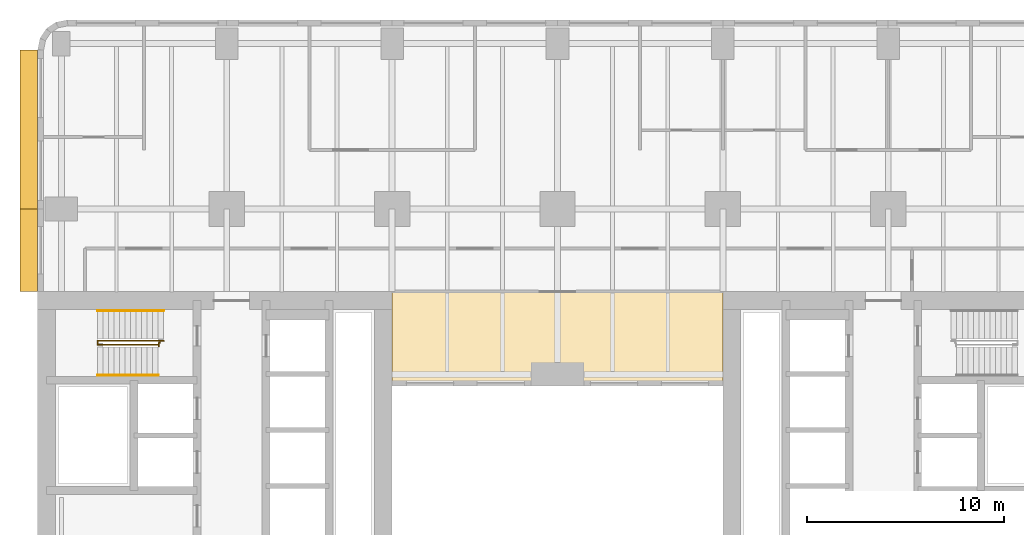
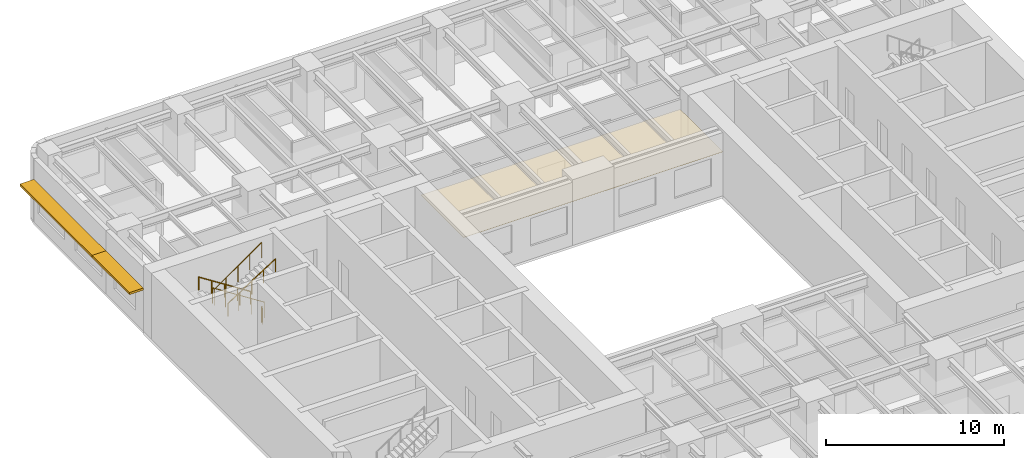
# One storey, part 12 of 14: 4 railings, 2 shading devices, 1 covering.
"""IFC4 building model written with IfcOpenShell, lengths in metres."""

from ifc_helpers import new_model, si_unit, direction, frame, origin, origin_2d, place, context, subcontext, project, spatial, polyline, rectangle, circle, outline, extrude, material, layer, layer_set, type_object, element, save


model = new_model("IFC4")

# Units and contexts
model_context = context("Model", 3, precision=1e-05, world=origin(), true_north=direction((0.0, 1.0)))
body_context = subcontext(model_context, "Body", "Model", "MODEL_VIEW")
ifc_project = project(units=[si_unit("LENGTHUNIT", "METRE"), si_unit("AREAUNIT", "SQUARE_METRE"), si_unit("VOLUMEUNIT", "CUBIC_METRE"), si_unit("PLANEANGLEUNIT", "RADIAN"), si_unit("MASSUNIT", "GRAM", prefix="KILO")], contexts=[model_context])

# Site, building, storey
site_placement = place(None, origin())
site = spatial("IfcSite", under=ifc_project, at=site_placement, CompositionType="ELEMENT")
building_placement = place(site_placement, origin())
building = spatial("IfcBuilding", under=site, at=building_placement, Name="Claustro Exchange Tower", CompositionType="ELEMENT")
storey_placement = place(building_placement, frame((0.0, 0.0, 36.89990234375)))
storey = spatial("IfcBuildingStorey", under=building, at=storey_placement, Name="L08", CompositionType="ELEMENT", Elevation=36.89990234375)

# Covering
ifc_material_1 = material(Name="Gypsum board ceiling", Category="gypsum board")
ifc_layer_1 = layer(ifc_material_1, 0.02490234375)
ifc_layer_set_1 = layer_set([ifc_layer_1], Name="Gypsum board ceiling")
covering_type = type_object("IfcCoveringType", Name="CL2 plasterboard ceiling", PredefinedType="CEILING", material=ifc_layer_set_1)
covering_placement = place(storey_placement, frame((0.0, 0.0, 3.0)))
element("IfcCovering", 1, at=covering_placement, inside=storey, type_object=covering_type, Name="Ceiling CL2 L08-11", PredefinedType="CEILING", context=body_context, shape_type="SweptSolid", body=[
    extrude(outline(polyline([(33.60009765625, 33.0), (33.60009765625, 37.800048828125), (16.800048828125, 37.800048828125), (16.800048828125, 33.0), (33.60009765625, 33.0)])), origin(), (0.0, 0.0, 1.0), 0.025146484375),
])

# Railings
ifc_material_2 = material(Name="Steel balustrade, painted", Category="steel")
railing_type_1 = type_object("IfcRailingType", Name="GR2 1100 steel stair guard", PredefinedType="GUARDRAIL", material=ifc_material_2)
railing_1_placement = place(storey_placement, frame((5.199951171875, 35.300048828125, 0.18017578125)))
element("IfcRailing", 2, at=railing_1_placement, inside=storey, type_object=railing_type_1, Name="Stair well guard GR2 stair STWB L08", PredefinedType="GUARDRAIL", context=body_context, shape_type="SweptSolid", body=[
    extrude(circle(Radius=0.02392578125, at=origin_2d()), frame((0.0, 0.0, 1.076171875), z_axis=(-0.841178475377, 0.0, 0.540757591313), x_axis=(0.0, -1.0, 0.0)), (0.0, 0.0, 1.0), 3.994140625),
    extrude(circle(Radius=0.02392578125, at=origin_2d()), frame((-3.35986328125, 0.0, 3.23583984375), z_axis=(0.0, -1.0, 0.0), x_axis=(1.0, 0.0, 0.0)), (0.0, 0.0, 1.0), 0.199951171875),
    extrude(circle(Radius=0.02392578125, at=origin_2d()), frame((-3.35986328125, -0.199951171875, 3.23583984375), z_axis=(0.818728512145, 0.0, 0.574180828137), x_axis=(0.0, 1.0, 0.0)), (0.0, 0.0, 1.0), 3.76171875),
    extrude(circle(Radius=0.02099609375, at=origin_2d()), origin(), (0.0, 0.0, 1.0), 1.052001953125),
    extrude(circle(Radius=0.02099609375, at=origin_2d()), frame((-0.83984375, 0.0, 0.5400390625)), (0.0, 0.0, 1.0), 1.052001953125),
    extrude(circle(Radius=0.02099609375, at=origin_2d()), frame((-1.679931640625, 0.0, 1.080078125)), (0.0, 0.0, 1.0), 1.052001953125),
    extrude(circle(Radius=0.02099609375, at=origin_2d()), frame((-2.52001953125, 0.0, 1.619873046875)), (0.0, 0.0, 1.0), 1.052001953125),
    extrude(circle(Radius=0.02099609375, at=origin_2d()), frame((-3.35986328125, 0.0, 2.159912109375)), (0.0, 0.0, 1.0), 1.052001953125),
    extrude(circle(Radius=0.02099609375, at=origin_2d()), frame((-3.35986328125, -0.199951171875, 2.159912109375)), (0.0, 0.0, 1.0), 1.052001953125),
    extrude(circle(Radius=0.02099609375, at=origin_2d()), frame((-2.58984375, -0.199951171875, 2.699951171875)), (0.0, 0.0, 1.0), 1.052001953125),
    extrude(circle(Radius=0.02099609375, at=origin_2d()), frame((-1.81982421875, -0.199951171875, 3.23974609375)), (0.0, 0.0, 1.0), 1.052001953125),
    extrude(circle(Radius=0.02099609375, at=origin_2d()), frame((-1.050048828125, -0.199951171875, 3.77978515625)), (0.0, 0.0, 1.0), 1.052001953125),
    extrude(circle(Radius=0.02099609375, at=origin_2d()), frame((-0.280029296875, -0.199951171875, 4.31982421875)), (0.0, 0.0, 1.0), 1.052001953125),
])
railing_2_placement = place(storey_placement, frame((5.0, 35.22998046875, 0.0)))
element("IfcRailing", 3, at=railing_2_placement, inside=storey, type_object=railing_type_1, Name="Stair guard GR2 STWB L08", PredefinedType="GUARDRAIL", context=body_context, shape_type="SweptSolid", body=[
    extrude(circle(Radius=0.02392578125, at=origin_2d()), frame((0.0, 0.0, 1.076171875), z_axis=(0.0, -1.0, 0.0), x_axis=(1.0, 0.0, 0.0)), (0.0, 0.0, 1.0), 0.030029296875),
    extrude(circle(Radius=0.02392578125, at=origin_2d()), frame((0.0, -0.030029296875, 1.076171875), z_axis=(-1.0, 0.0, 0.0), x_axis=(0.0, -1.0, 0.0)), (0.0, 0.0, 1.0), 0.054931640625),
    extrude(circle(Radius=0.02392578125, at=origin_2d()), frame((-0.054931640625, -0.030029296875, 1.076171875), z_axis=(0.0, -1.0, 0.0), x_axis=(1.0, 0.0, 0.0)), (0.0, 0.0, 1.0), 0.179931640625),
    extrude(circle(Radius=0.02099609375, at=origin_2d()), origin(), (0.0, 0.0, 1.0), 1.052001953125),
    extrude(circle(Radius=0.02099609375, at=origin_2d()), frame((0.0, -0.030029296875, 0.0)), (0.0, 0.0, 1.0), 1.052001953125),
    extrude(circle(Radius=0.02099609375, at=origin_2d()), frame((-0.054931640625, -0.030029296875, 0.0)), (0.0, 0.0, 1.0), 1.052001953125),
    extrude(circle(Radius=0.02099609375, at=origin_2d()), frame((-0.054931640625, -0.2099609375, 0.0)), (0.0, 0.0, 1.0), 1.052001953125),
])
ifc_material_3 = material(Name="Stainless steel tube", Category="steel")
railing_type_2 = type_object("IfcRailingType", Name="HR1 900 stair handrail", PredefinedType="HANDRAIL", material=ifc_material_3)
railing_3_placement = place(storey_placement, frame((5.199951171875, 36.840087890625, 0.18017578125)))
element("IfcRailing", 4, at=railing_3_placement, inside=storey, type_object=railing_type_2, Name="Handrail HR1 stair STWB L08", PredefinedType="HANDRAIL", context=body_context, shape_type="SweptSolid", body=[
    extrude(circle(Radius=0.02392578125, at=origin_2d()), frame((0.0, 0.0, 0.8759765625), z_axis=(-0.841178475377, 0.0, 0.540757591313), x_axis=(0.0, -1.0, 0.0)), (0.0, 0.0, 1.0), 3.994140625),
    extrude(circle(Radius=0.02099609375, at=origin_2d()), origin(), (0.0, 0.0, 1.0), 0.851806640625),
    extrude(circle(Radius=0.02099609375, at=origin_2d()), frame((-0.83984375, 0.0, 0.5400390625)), (0.0, 0.0, 1.0), 0.851806640625),
    extrude(circle(Radius=0.02099609375, at=origin_2d()), frame((-1.679931640625, 0.0, 1.080078125)), (0.0, 0.0, 1.0), 0.851806640625),
    extrude(circle(Radius=0.02099609375, at=origin_2d()), frame((-2.52001953125, 0.0, 1.619873046875)), (0.0, 0.0, 1.0), 0.851806640625),
    extrude(circle(Radius=0.02099609375, at=origin_2d()), frame((-3.35986328125, 0.0, 2.159912109375)), (0.0, 0.0, 1.0), 0.851806640625),
])
railing_4_placement = place(storey_placement, frame((1.840087890625, 33.56005859375, 2.52001953125)))
element("IfcRailing", 5, at=railing_4_placement, inside=storey, type_object=railing_type_2, Name="Handrail HR1 stair STWB L08", PredefinedType="HANDRAIL", context=body_context, shape_type="SweptSolid", body=[
    extrude(circle(Radius=0.02392578125, at=origin_2d()), frame((0.0, 0.0, 0.8759765625), z_axis=(0.841167642724, 0.0, 0.540774441735), x_axis=(0.0, 1.0, 0.0)), (0.0, 0.0, 1.0), 3.661376953125),
    extrude(circle(Radius=0.02099609375, at=origin_2d()), origin(), (0.0, 0.0, 1.0), 0.851806640625),
    extrude(circle(Radius=0.02099609375, at=origin_2d()), frame((0.77001953125, 0.0, 0.4951171875)), (0.0, 0.0, 1.0), 0.851806640625),
    extrude(circle(Radius=0.02099609375, at=origin_2d()), frame((1.5400390625, 0.0, 0.989990234375)), (0.0, 0.0, 1.0), 0.851806640625),
    extrude(circle(Radius=0.02099609375, at=origin_2d()), frame((2.309814453125, 0.0, 1.48486328125)), (0.0, 0.0, 1.0), 0.851806640625),
    extrude(circle(Radius=0.02099609375, at=origin_2d()), frame((3.079833984375, 0.0, 1.97998046875)), (0.0, 0.0, 1.0), 0.851806640625),
])

# Shading devices
ifc_material_4 = material(Name="Concrete HA-40 (C40/50), precast, white cement, acid-etched", Category="concrete")
ifc_layer_2 = layer(ifc_material_4, 0.14990234375)
ifc_layer_set_2 = layer_set([ifc_layer_2], Name="Concrete HA-40 (C40/50), precast, white cement, acid-etched")
shading_device_type = type_object("IfcShadingDeviceType", Name="SS2 900 precast concrete SUNSHADE", PredefinedType="SHUTTER", material=ifc_layer_set_2)
shading_device_1_placement = place(storey_placement, frame((-1.64990234375, 39.89990234375, 2.800048828125), z_axis=(0.0, 0.0, 1.0), x_axis=(0.0, 1.0, 0.0)))
element("IfcShadingDevice", 6, at=shading_device_1_placement, inside=storey, type_object=shading_device_type, Name="Precast SUNSHADE SS2 L08", PredefinedType="SHUTTER", context=body_context, shape_type="SweptSolid", body=[
    extrude(rectangle(XDim=4.199951171875, YDim=0.89990234375, at=origin_2d()), origin(), (0.0, 0.0, 1.0), 0.14990234375),
])
shading_device_2_placement = place(storey_placement, frame((-1.64990234375, 46.04248046875, 2.800048828125), z_axis=(0.0, 0.0, 1.0), x_axis=(0.0, 1.0, 0.0)))
element("IfcShadingDevice", 7, at=shading_device_2_placement, inside=storey, type_object=shading_device_type, Name="Precast SUNSHADE SS2 L08", PredefinedType="SHUTTER", context=body_context, shape_type="SweptSolid", body=[
    extrude(rectangle(XDim=8.085205078125, YDim=0.89990234375, at=origin_2d()), origin(), (0.0, 0.0, 1.0), 0.14990234375),
])

save(model, "model.ifc")
